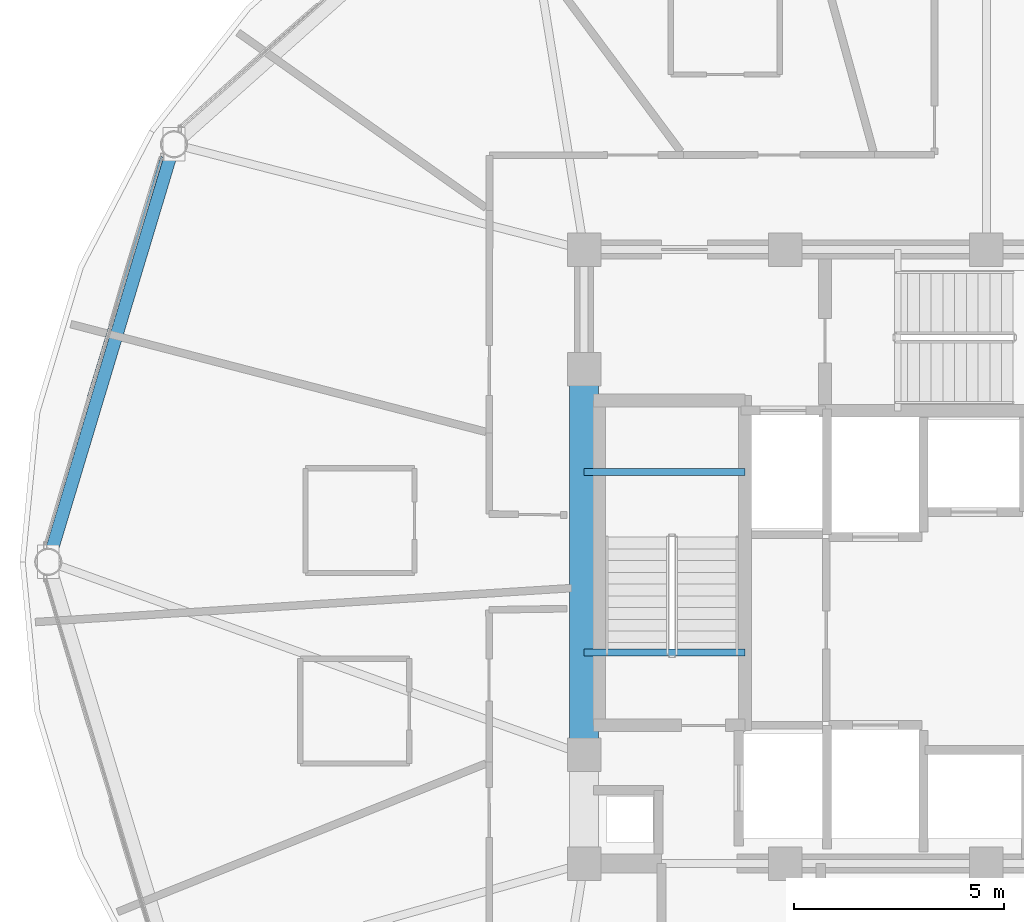
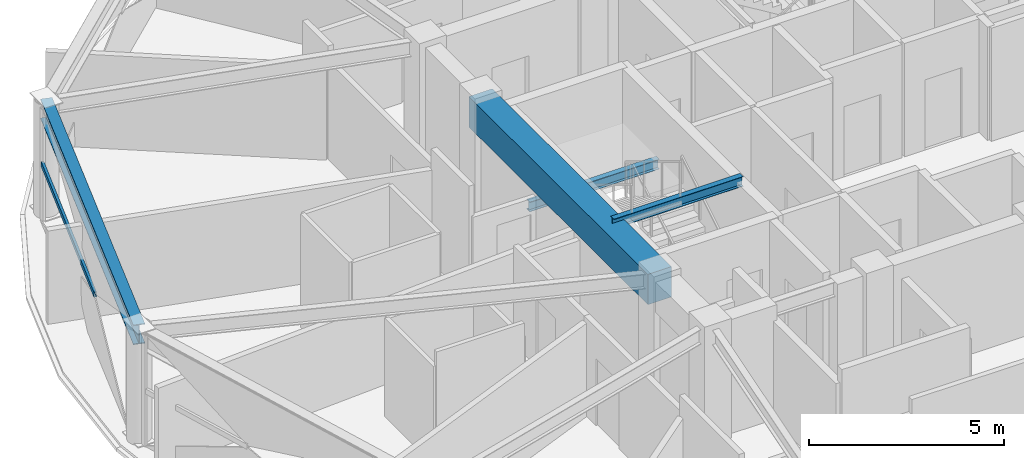
# One storey, part 8 of 30: 4 beams, 1 member, 1 element without a shape of its own.
"""IFC4 building model written with IfcOpenShell, lengths in metres."""

import ifcopenshell
import ifcopenshell.guid

model = None  # the IFC model being written
_history = None  # IfcOwnerHistory: only IFC2X3 demands one
_inside = {}  # id of a spatial element -> (the spatial element, [elements in it])
_under = {}  # id of a project, library or spatial element -> (it, [spatial elements below it])
_declared = {}  # id of a project -> (the project, [libraries it declares])
_typed = {}  # id of a type object -> (the type object, [elements of that type])
_made_of = {}  # id of a material, layer set ... -> (it, [elements and type objects made of it])


def new_model(schema):
    """Start an empty IFC model of exactly this schema.

    Asked for "IFC4X3", IfcOpenShell would pick the latest addendum, in which some entities
    have other attributes; the version numbers below select the first issue.
    IFC2X3 requires an IfcOwnerHistory on every rooted entity: one is made here for all.
    """
    global model, _history
    if schema == "IFC4X3":
        model = ifcopenshell.file(schema_version=(4, 3, 0, 0))
    else:
        model = ifcopenshell.file(schema=schema)
    _inside.clear()
    _under.clear()
    _declared.clear()
    _typed.clear()
    _made_of.clear()
    _history = None
    if model.schema == "IFC2X3":
        org = make("IfcOrganization", Name="unknown")
        user = make(
            "IfcPersonAndOrganization",
            ThePerson=make("IfcPerson", FamilyName="unknown"),
            TheOrganization=org,
        )
        app = make(
            "IfcApplication",
            ApplicationDeveloper=org,
            Version="unknown",
            ApplicationFullName="unknown",
            ApplicationIdentifier="unknown",
        )
        _history = make(
            "IfcOwnerHistory",
            OwningUser=user,
            OwningApplication=app,
            ChangeAction="ADDED",
            CreationDate=0,
        )
    return model


def make(cls, **values):
    """One entity of the class cls with the attributes given. An attribute that is None is left unset."""
    return model.create_entity(
        cls, **{name: value for name, value in values.items() if value is not None}
    )


def rooted(cls, **values):
    """An entity with a GlobalId (a new one), such as an element, a storey or a relation."""
    return make(cls, GlobalId=ifcopenshell.guid.new(), OwnerHistory=_history, **values)


def si_unit(unit_type, name, prefix=None):
    """IfcSIUnit, for example si_unit("LENGTHUNIT", "METRE", prefix="MILLI")."""
    return make("IfcSIUnit", UnitType=unit_type, Prefix=prefix, Name=name)


def assignment(units):
    """IfcUnitAssignment: the units of a project."""
    return None if units is None else make("IfcUnitAssignment", Units=units)


def point(xyz):
    """IfcCartesianPoint."""
    return None if xyz is None else make("IfcCartesianPoint", Coordinates=xyz)


def direction(xyz):
    """IfcDirection."""
    return None if xyz is None else make("IfcDirection", DirectionRatios=xyz)


def frame(location, z_axis=None, x_axis=None):
    """IfcAxis2Placement3D, a coordinate frame: its origin and axes. An axis left out is left unset."""
    return make(
        "IfcAxis2Placement3D",
        Location=point(location),
        Axis=direction(z_axis),
        RefDirection=direction(x_axis),
    )


def frame_2d(location, x_axis=None):
    """IfcAxis2Placement2D, a coordinate frame in the plane: its origin and x axis."""
    return make(
        "IfcAxis2Placement2D", Location=point(location), RefDirection=direction(x_axis)
    )


def origin():
    """The frame at (0, 0, 0) with its axes left unset."""
    return frame((0.0, 0.0, 0.0))


def origin_2d():
    """The frame at (0, 0) in the plane with its x axis left unset."""
    return frame_2d((0.0, 0.0))


def place(relative_to, where):
    """IfcLocalPlacement: puts the frame where relative to a parent placement (None: the world)."""
    return make(
        "IfcLocalPlacement", PlacementRelTo=relative_to, RelativePlacement=where
    )


def context(
    kind, dimensions, precision=None, world=None, true_north=None, identifier=None
):
    """IfcGeometricRepresentationContext, for example the 3D "Model" context."""
    return make(
        "IfcGeometricRepresentationContext",
        ContextIdentifier=identifier,
        ContextType=kind,
        CoordinateSpaceDimension=dimensions,
        Precision=precision,
        WorldCoordinateSystem=world,
        TrueNorth=true_north,
    )


def subcontext(parent, identifier, kind, view, scale=None):
    """IfcGeometricRepresentationSubContext, for example "Body" below "Model"."""
    return make(
        "IfcGeometricRepresentationSubContext",
        ContextIdentifier=identifier,
        ContextType=kind,
        ParentContext=parent,
        TargetScale=scale,
        TargetView=view,
    )


def project(units=None, contexts=None):
    """IfcProject with its units and contexts."""
    return rooted(
        "IfcProject",
        Name="project",
        RepresentationContexts=contexts,
        UnitsInContext=assignment(units),
    )


def spatial(cls, under=None, at=None, **own):
    """A site, building, storey or space (cls), placed at a placement, below another one or the project."""
    s = rooted(cls, ObjectPlacement=at, **own)
    if under is not None:
        _under.setdefault(under.id(), (under, []))[1].append(s)
    return s


def profile(cls, at=None, kind="AREA", **sizes):
    """A parametric profile (cls). Its sizes go by their IFC names, for example OverallWidth=200.0."""
    return make(cls, ProfileType=kind, Position=at, **sizes)


def rectangle(**sizes):
    """IfcRectangleProfileDef."""
    return profile("IfcRectangleProfileDef", **sizes)


def hollow_rectangle(**sizes):
    """IfcRectangleHollowProfileDef."""
    return profile("IfcRectangleHollowProfileDef", **sizes)


def i_section(**sizes):
    """IfcIShapeProfileDef."""
    return profile("IfcIShapeProfileDef", **sizes)


def extrude(swept, where, along, depth):
    """IfcExtrudedAreaSolid: the profile swept, set in the frame where, extruded along a direction by depth."""
    return make(
        "IfcExtrudedAreaSolid",
        SweptArea=swept,
        Position=where,
        ExtrudedDirection=direction(along),
        Depth=depth,
    )


def shape(context_of_items, identifier, shape_type, items):
    """IfcShapeRepresentation: the items that make up one representation, for example the "Body"."""
    return make(
        "IfcShapeRepresentation",
        ContextOfItems=context_of_items,
        RepresentationIdentifier=identifier,
        RepresentationType=shape_type,
        Items=items,
    )


def material(Name=None, Category=None):
    """IfcMaterial."""
    return make("IfcMaterial", Name=Name, Category=Category)


def layer(
    of_material, thickness, ventilated=None, Name=None, Category=None, Priority=None
):
    """IfcMaterialLayer: one layer of a wall or slab, of a material (None: an air gap)."""
    return make(
        "IfcMaterialLayer",
        Material=of_material,
        LayerThickness=thickness,
        IsVentilated=ventilated,
        Name=Name,
        Category=Category,
        Priority=Priority,
    )


def layer_set(layers, Name=None):
    """IfcMaterialLayerSet."""
    return make("IfcMaterialLayerSet", MaterialLayers=layers, LayerSetName=Name)


def material_profile(
    of_material, cross_section, Name=None, Category=None, Priority=None
):
    """IfcMaterialProfile: a cross section and its material."""
    return make(
        "IfcMaterialProfile",
        Name=Name,
        Material=of_material,
        Profile=cross_section,
        Priority=Priority,
        Category=Category,
    )


def profile_set(profiles, Name=None, composite=None):
    """IfcMaterialProfileSet."""
    return make(
        "IfcMaterialProfileSet",
        Name=Name,
        MaterialProfiles=profiles,
        CompositeProfile=composite,
    )


def made_of(thing, what):
    """Note that an element or type object is made of a material, layer set ...; save() writes the relation."""
    if what is not None:
        _made_of.setdefault(what.id(), (what, []))[1].append(thing)
    return thing


def type_object(cls, material=None, **own):
    """A type object (cls), such as IfcWallType, which elements share."""
    return made_of(rooted(cls, **own), material)


def element(
    cls,
    number,
    at=None,
    inside=None,
    cuts=None,
    type_object=None,
    material=None,
    context=None,
    identifier="Body",
    shape_type=None,
    held_by="IfcProductDefinitionShape",
    body=None,
    shapes=None,
    **own,
):
    """One element of the class cls, such as IfcWall. Its Tag is "e" and its number.

    at: its placement. inside: the storey or other place that contains it. cuts: it is an
    opening in that element (IfcRelVoidsElement). A single representation is given by context,
    identifier, shape_type and body (its items); several are given by shapes. held_by: the class
    of the entity that holds the representations. save() writes the other relations.
    """
    e = rooted(cls, Tag="e%d" % number, ObjectPlacement=at, **own)
    if body is not None:
        shapes = [shape(context, identifier, shape_type, body)]
    if shapes is not None:
        e.Representation = make(held_by, Representations=shapes)
    if inside is not None:
        _inside.setdefault(inside.id(), (inside, []))[1].append(e)
    if cuts is not None:
        rooted(
            "IfcRelVoidsElement", RelatingBuildingElement=cuts, RelatedOpeningElement=e
        )
    if type_object is not None:
        _typed.setdefault(type_object.id(), (type_object, []))[1].append(e)
    return made_of(e, material)


def aggregate(whole, parts):
    """IfcRelAggregates: a whole, such as a stair, and the parts it consists of."""
    return rooted("IfcRelAggregates", RelatingObject=whole, RelatedObjects=parts)


def save(model, path):
    """Write the relations noted so far, then the file.

    IfcRelAggregates (storeys below a building ...), IfcRelContainedInSpatialStructure (elements
    in a storey), IfcRelDefinesByType, IfcRelAssociatesMaterial and IfcRelDeclares: one each for
    every whole, place, type object, material and project.
    """
    for whole, parts in _under.values():
        aggregate(whole, parts)
    for where, things in _inside.values():
        rooted(
            "IfcRelContainedInSpatialStructure",
            RelatedElements=things,
            RelatingStructure=where,
        )
    for kind, things in _typed.values():
        rooted("IfcRelDefinesByType", RelatedObjects=things, RelatingType=kind)
    for what, things in _made_of.values():
        rooted("IfcRelAssociatesMaterial", RelatedObjects=things, RelatingMaterial=what)
    for by, libraries in _declared.values():
        rooted("IfcRelDeclares", RelatingContext=by, RelatedDefinitions=libraries)
    model.write(path)


model = new_model("IFC4")

# Units and contexts
model_context = context("Model", 3, precision=1e-05, world=origin(), true_north=direction((0.0, 1.0)))
body_context = subcontext(model_context, "Body", "Model", "MODEL_VIEW")
ifc_project = project(units=[si_unit("LENGTHUNIT", "METRE"), si_unit("AREAUNIT", "SQUARE_METRE"), si_unit("VOLUMEUNIT", "CUBIC_METRE"), si_unit("PLANEANGLEUNIT", "RADIAN"), si_unit("MASSUNIT", "GRAM", prefix="KILO")], contexts=[model_context])

# Site, building, storey
site_placement = place(None, origin())
site = spatial("IfcSite", under=ifc_project, at=site_placement, CompositionType="ELEMENT")
building_placement = place(site_placement, origin())
building = spatial("IfcBuilding", under=site, at=building_placement, Name="Vantalir Tower", CompositionType="ELEMENT")
storey_placement = place(building_placement, frame((0.0, 0.0, 201.14990234375)))
storey = spatial("IfcBuildingStorey", under=building, at=storey_placement, Name="L50", CompositionType="ELEMENT", Elevation=201.14990234375)

# Beams
ifc_material_1 = material(Name="Concrete C60/75", Category="concrete")
ifc_material_profile_1 = material_profile(ifc_material_1, rectangle(XDim=0.699951171875, YDim=0.949951171875, at=origin_2d()), Name="Concrete C60/75")
ifc_profile_set_1 = profile_set([ifc_material_profile_1], Name="Concrete C60/75")
beam_type_1 = type_object("IfcBeamType", Name="BM-CB-700x950", PredefinedType="USERDEFINED", material=ifc_profile_set_1)
beam_1_placement = place(storey_placement, frame((21.89990234375, 29.60009765625, 3.09521484375), z_axis=(0.0, -1.0, 0.0), x_axis=(1.0, 0.0, 0.0)))
element("IfcBeam", 1, at=beam_1_placement, inside=storey, type_object=beam_type_1, Name="L50 Core Coupling Girder 13", ObjectType="GIRDER", PredefinedType="USERDEFINED", context=body_context, shape_type="SweptSolid", body=[
    extrude(rectangle(XDim=0.699951171875, YDim=0.949951171875, at=origin_2d()), origin(), (0.0, 0.0, 1.0), 9.2001953125),
])
ifc_material_2 = material(Name="Steel S355", Category="steel")
ifc_material_profile_2 = material_profile(ifc_material_2, i_section(OverallWidth=0.166015625, OverallDepth=0.306884765625, WebThickness=0.006591796875, FlangeThickness=0.01171875, at=origin_2d()), Name="Steel S355")
ifc_profile_set_2 = profile_set([ifc_material_profile_2], Name="Steel S355")
beam_type_2 = type_object("IfcBeamType", Name="BM-JS-305x165", PredefinedType="JOIST", material=ifc_profile_set_2)
for number, where, z_axis, x_axis, name in (
    (2, (21.89990234375, 22.8349609375, 3.59619140625), (1.0, 0.0, 0.0), (0.0, 1.0, 0.0), "L51 Stair ST1 Well Nosing Trimmer Beam"),
    (3, (21.89990234375, 27.14501953125, 1.52099609375), (1.0, 0.0, 0.0), (0.0, 1.0, 0.0), "L50 Stair ST1 Half-Landing Support Beam"),
):
    element("IfcBeam", number, at=place(storey_placement, frame(where, z_axis=z_axis, x_axis=x_axis)), inside=storey, type_object=beam_type_2, Name=name, PredefinedType="JOIST", context=body_context, shape_type="SweptSolid", body=[
        extrude(i_section(OverallWidth=0.166015625, OverallDepth=0.306884765625, WebThickness=0.006591796875, FlangeThickness=0.01171875, at=origin_2d()), origin(), (0.0, 0.0, 1.0), 3.840087890625),
    ])
ifc_material_3 = material(Name="Steel S460", Category="steel")
ifc_material_profile_3 = material_profile(ifc_material_3, i_section(OverallWidth=0.306884765625, OverallDepth=0.6201171875, WebThickness=0.01416015625, FlangeThickness=0.023681640625, at=origin_2d()), Name="Steel S460")
ifc_profile_set_3 = profile_set([ifc_material_profile_3], Name="Steel S460")
beam_type_3 = type_object("IfcBeamType", Name="BM-RG-610x305", PredefinedType="USERDEFINED", material=ifc_profile_set_3)
beam_2_placement = place(storey_placement, frame((12.116943359375, 34.9619140625, 3.260009765625), z_axis=(-0.288269210973, -0.957549404472, 0.0), x_axis=(0.957549404472, -0.288269210973, 0.0)))
element("IfcBeam", 4, at=beam_2_placement, inside=storey, type_object=beam_type_3, Name="L50 Circumferential Ring Girder 06", ObjectType="GIRDER", PredefinedType="USERDEFINED", context=body_context, shape_type="SweptSolid", body=[
    extrude(i_section(OverallWidth=0.306884765625, OverallDepth=0.6201171875, WebThickness=0.01416015625, FlangeThickness=0.023681640625, at=origin_2d()), origin(), (0.0, 0.0, 1.0), 10.403564453125),
])

# Curtain wall, member
ifc_material_4 = material(Name="Champagne-silver PVDF aluminium and double-silver Low-E glass", Category="aluminium")
ifc_layer = layer(ifc_material_4, 0.2099609375)
ifc_layer_set = layer_set([ifc_layer], Name="Champagne-silver PVDF aluminium and double-silver Low-E glass")
curtain_wall_type = type_object("IfcCurtainWallType", Name="CW-DIAMOND-Z3", PredefinedType="USERDEFINED", material=ifc_layer_set)
curtain_wall_placement = place(storey_placement, origin())
curtain_wall = element("IfcCurtainWall", 5, at=curtain_wall_placement, inside=storey, type_object=curtain_wall_type, Name="L50 Quilted Pyramid-Diamond Curtain Wall S06", ObjectType="UNITISED CURTAIN WALL", PredefinedType="USERDEFINED")
ifc_material_5 = material(Name="Champagne-silver PVDF aluminium 6063-T6", Category="aluminium")
ifc_material_profile_4 = material_profile(ifc_material_5, hollow_rectangle(XDim=0.074951171875, YDim=0.159912109375, WallThickness=0.00390625, at=origin_2d()), Name="Champagne-silver PVDF aluminium 6063-T6")
ifc_profile_set_4 = profile_set([ifc_material_profile_4], Name="Champagne-silver PVDF aluminium 6063-T6")
member_type = type_object("IfcMemberType", Name="CWT-160x75", PredefinedType="USERDEFINED", material=ifc_profile_set_4)
member_placement = place(storey_placement, frame((11.833984375, 34.6650390625, 1.78515625), z_axis=(-0.291730997436, -0.956500405193, 0.0), x_axis=(0.956500405193, -0.291730997436, 0.0)))
member = element("IfcMember", 6, at=member_placement, type_object=member_type, Name="CW-L50-S06 Pyramid Fold Ridge Transom", ObjectType="TRANSOM", PredefinedType="USERDEFINED", context=body_context, shape_type="SweptSolid", body=[
    extrude(hollow_rectangle(XDim=0.074951171875, YDim=0.159912109375, WallThickness=0.00390625, at=origin_2d()), origin(), (0.0, 0.0, 1.0), 6.00537109375),
])
aggregate(curtain_wall, [member])

save(model, "model.ifc")
